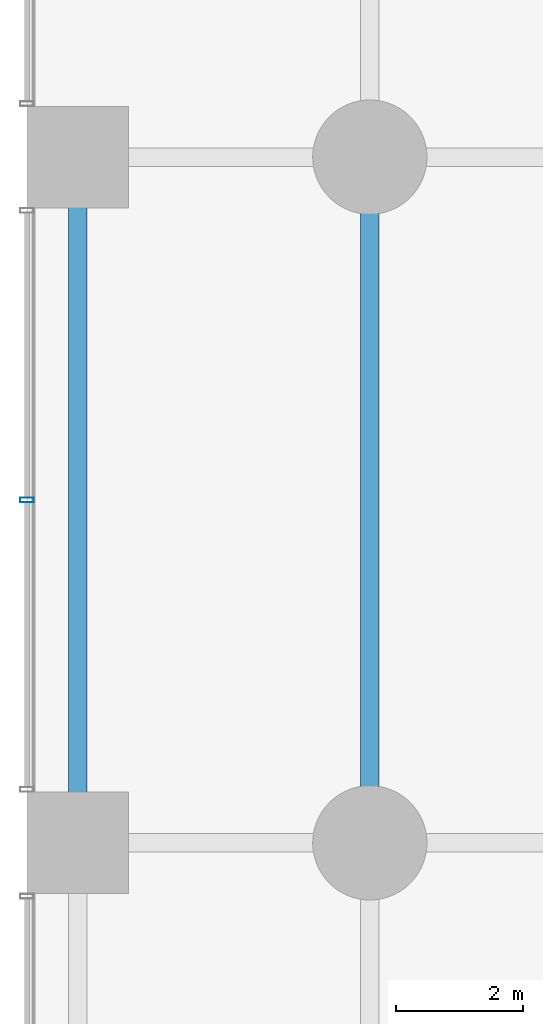
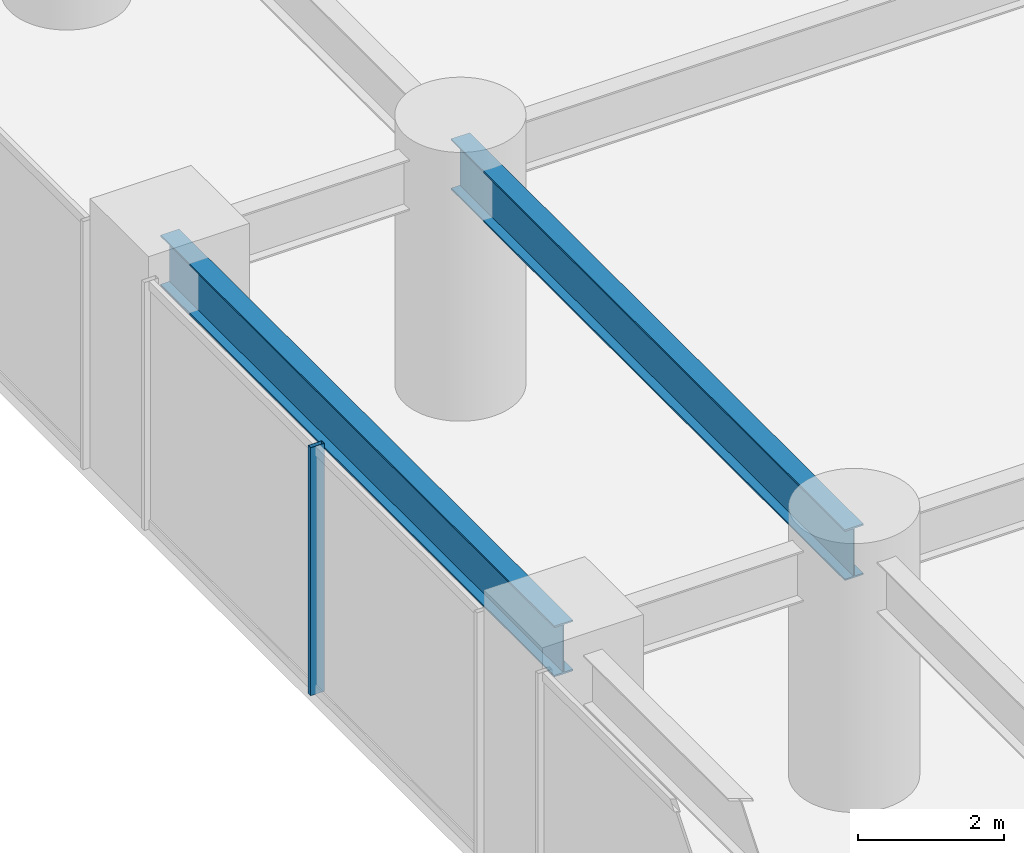
# One storey, part 7 of 35: 2 beams, 1 member, 1 element without a shape of its own.
"""IFC4 building model written with IfcOpenShell, lengths in metres."""

from ifc_helpers import new_model, si_unit, direction, frame, origin, origin_2d, place, context, subcontext, project, spatial, hollow_rectangle, i_section, extrude, material, layer, layer_set, material_profile, profile_set, type_object, element, aggregate, save


model = new_model("IFC4")

# Units and contexts
model_context = context("Model", 3, precision=1e-05, world=origin(), true_north=direction((0.0, 1.0)))
body_context = subcontext(model_context, "Body", "Model", "MODEL_VIEW")
ifc_project = project(units=[si_unit("LENGTHUNIT", "METRE"), si_unit("AREAUNIT", "SQUARE_METRE"), si_unit("VOLUMEUNIT", "CUBIC_METRE"), si_unit("PLANEANGLEUNIT", "RADIAN"), si_unit("MASSUNIT", "GRAM", prefix="KILO")], contexts=[model_context])

# Site, building, storey
site_placement = place(None, origin())
site = spatial("IfcSite", under=ifc_project, at=site_placement, CompositionType="ELEMENT")
building_placement = place(site_placement, origin())
building = spatial("IfcBuilding", under=site, at=building_placement, Name="Surkhivell Harbour Commons", CompositionType="ELEMENT")
storey_placement = place(building_placement, frame((0.0, 0.0, 13.5)))
storey = spatial("IfcBuildingStorey", under=building, at=storey_placement, Name="L03", CompositionType="ELEMENT", Elevation=13.5)

# Beams
ifc_material_1 = material(Name="Steel S460", Category="steel")
ifc_material_profile_1 = material_profile(ifc_material_1, i_section(OverallWidth=0.2939453125, OverallDepth=0.85107421875, WebThickness=0.01611328125, FlangeThickness=0.02685546875, at=origin_2d()), Name="UB838x292x226")
ifc_profile_set_1 = profile_set([ifc_material_profile_1], Name="Steel S460")
beam_type = type_object("IfcBeamType", Name="BM-SPN-838", PredefinedType="SPANDREL", material=ifc_profile_set_1)
for number, where, z_axis, x_axis, name in (
    (1, (-37.0, 0.0, 3.724609375), (0.0, 1.0, 0.0), (-1.0, 0.0, 0.0), "L03 Framing Beam (-37.0,0.0)"),
    (2, (-32.39990234375, 0.0, 3.724609375), (0.0, 1.0, 0.0), (-1.0, 0.0, 0.0), "L03 Framing Beam (-32.4,0.0)"),
):
    element("IfcBeam", number, at=place(storey_placement, frame(where, z_axis=z_axis, x_axis=x_axis)), inside=storey, type_object=beam_type, Name=name, PredefinedType="SPANDREL", context=body_context, shape_type="SweptSolid", body=[
        extrude(i_section(OverallWidth=0.2939453125, OverallDepth=0.85107421875, WebThickness=0.01611328125, FlangeThickness=0.02685546875, at=origin_2d()), origin(), (0.0, 0.0, 1.0), 10.800048828125),
    ])

# Curtain wall, member
ifc_material_2 = material(Name="Anodised pale-metal aluminium and insulated glazing", Category="aluminium")
ifc_layer = layer(ifc_material_2, 0.239990234375)
ifc_layer_set = layer_set([ifc_layer], Name="Anodised pale-metal aluminium and insulated glazing")
curtain_wall_type = type_object("IfcCurtainWallType", Name="CW-SYS-POD", PredefinedType="NOTDEFINED", material=ifc_layer_set)
curtain_wall_placement = place(storey_placement, origin())
curtain_wall = element("IfcCurtainWall", 3, at=curtain_wall_placement, inside=storey, type_object=curtain_wall_type, Name="L03 Curtain Wall CW-L03-W4", PredefinedType="NOTDEFINED")
ifc_material_3 = material(Name="Anodised pale-metal aluminium alloy 6063-T6", Category="aluminium")
ifc_material_profile_2 = material_profile(ifc_material_3, hollow_rectangle(XDim=0.074951171875, YDim=0.219970703125, WallThickness=0.00390625, at=origin_2d()), Name="ALU-MULL-75x220")
ifc_profile_set_2 = profile_set([ifc_material_profile_2], Name="Anodised pale-metal aluminium alloy 6063-T6")
member_type = type_object("IfcMemberType", Name="CWM-220", PredefinedType="MULLION", material=ifc_profile_set_2)
member_placement = place(storey_placement, frame((-37.800048828125, 5.39990234375, 0.0), z_axis=(0.0, 0.0, 1.0), x_axis=(0.0, 1.0, 0.0)))
member = element("IfcMember", 4, at=member_placement, type_object=member_type, Name="CW-POD mullion 2", PredefinedType="MULLION", context=body_context, shape_type="SweptSolid", body=[
    extrude(hollow_rectangle(XDim=0.074951171875, YDim=0.219970703125, WallThickness=0.00390625, at=origin_2d()), origin(), (0.0, 0.0, 1.0), 4.14990234375),
])
aggregate(curtain_wall, [member])

save(model, "model.ifc")
